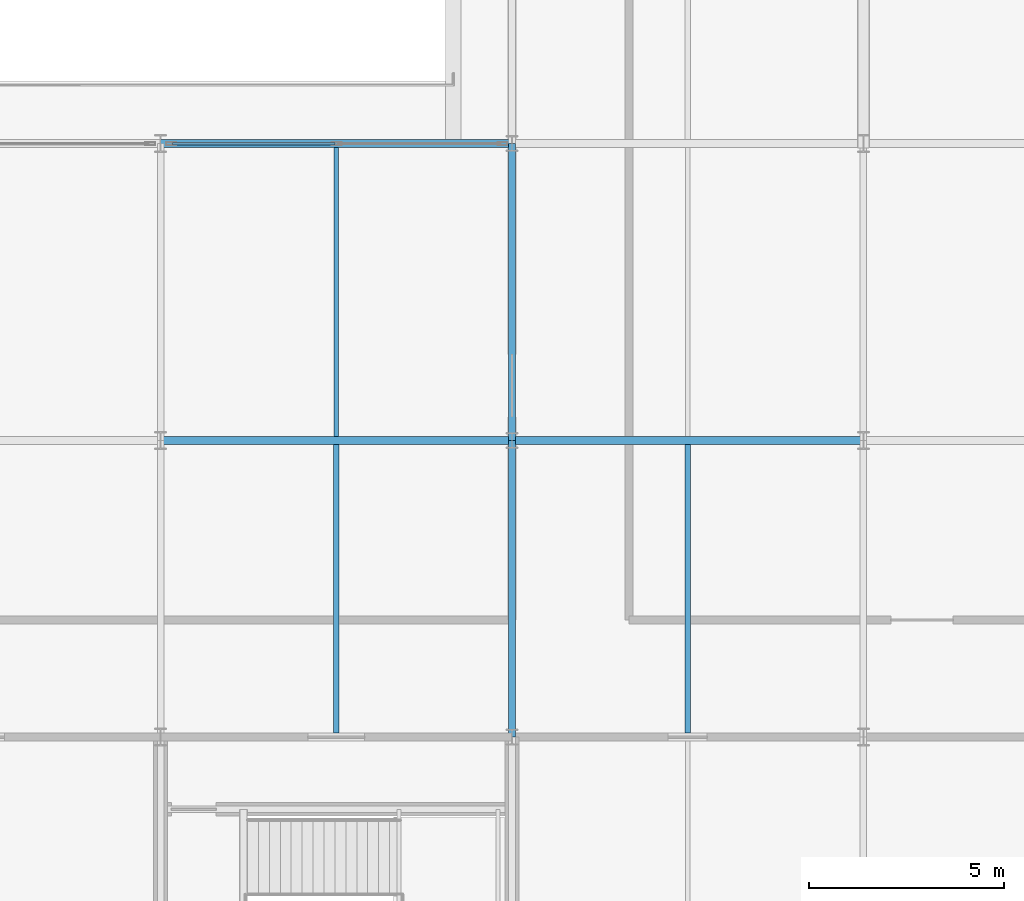
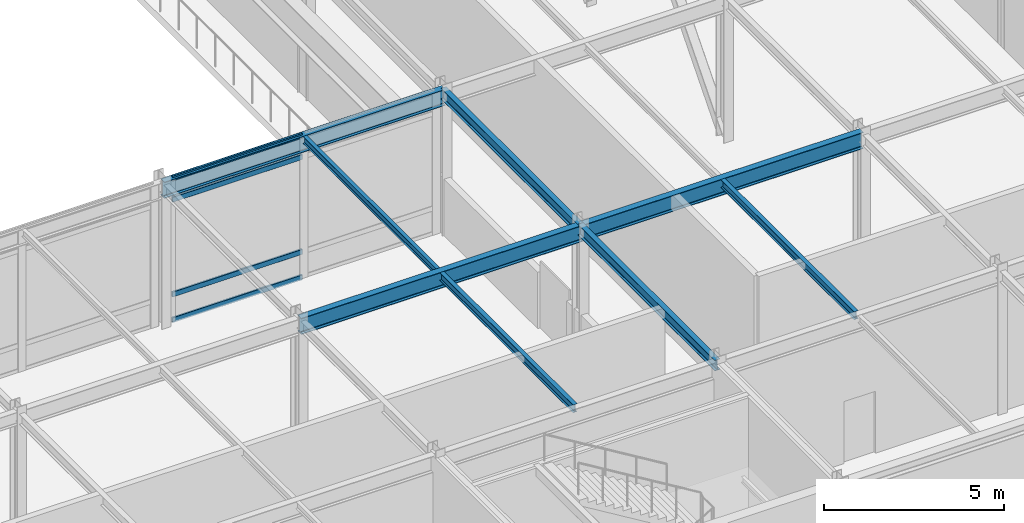
# One storey, part 55 of 113: 8 beams, 4 members, 1 element without a shape of its own.
"""IFC4 building model written with IfcOpenShell, lengths in metres."""

from ifc_helpers import new_model, si_unit, direction, frame, origin, origin_2d, place, context, subcontext, project, spatial, hollow_rectangle, i_section, extrude, material, layer, layer_set, material_profile, profile_set, type_object, element, aggregate, save


model = new_model("IFC4")

# Units and contexts
model_context = context("Model", 3, precision=1e-05, world=origin(), true_north=direction((0.0, 1.0)))
body_context = subcontext(model_context, "Body", "Model", "MODEL_VIEW")
ifc_project = project(units=[si_unit("LENGTHUNIT", "METRE"), si_unit("AREAUNIT", "SQUARE_METRE"), si_unit("VOLUMEUNIT", "CUBIC_METRE"), si_unit("PLANEANGLEUNIT", "RADIAN"), si_unit("MASSUNIT", "GRAM", prefix="KILO")], contexts=[model_context])

# Site, building, storey
site_placement = place(None, origin())
site = spatial("IfcSite", under=ifc_project, at=site_placement, CompositionType="ELEMENT")
building_placement = place(site_placement, origin())
building = spatial("IfcBuilding", under=site, at=building_placement, Name="Shalkamar Park Central Library", CompositionType="ELEMENT")
storey_placement = place(building_placement, frame((0.0, 0.0, 5.39990234375)))
storey = spatial("IfcBuildingStorey", under=building, at=storey_placement, Name="L02", CompositionType="ELEMENT", Elevation=5.39990234375)

# Beams
ifc_material_1 = material(Name="Steel S355", Category="steel")
ifc_material_profile_1 = material_profile(ifc_material_1, i_section(OverallWidth=0.1201171875, OverallDepth=0.239990234375, WebThickness=0.006103515625, FlangeThickness=0.009765625, FilletRadius=0.014892578125, at=origin_2d()), Name="IPE 240")
ifc_profile_set_1 = profile_set([ifc_material_profile_1], Name="Steel S355")
beam_type_1 = type_object("IfcBeamType", Name="Composite Floor Joist IPE240", PredefinedType="JOIST", material=ifc_profile_set_1)
beam_1_placement = place(storey_placement, frame((250.5, 262.903076171875, 4.739990234375), z_axis=(0.0, 1.0, 0.0), x_axis=(-1.0, 0.0, 0.0)))
element("IfcBeam", 1, at=beam_1_placement, inside=storey, type_object=beam_type_1, Name="Composite Joist 17/D-1 (L02)", PredefinedType="JOIST", context=body_context, shape_type="SweptSolid", body=[
    extrude(i_section(OverallWidth=0.1201171875, OverallDepth=0.239990234375, WebThickness=0.006103515625, FlangeThickness=0.009765625, FilletRadius=0.014892578125, at=origin_2d()), origin(), (0.0, 0.0, 1.0), 7.39404296875),
])
ifc_material_profile_2 = material_profile(ifc_material_1, i_section(OverallWidth=0.135009765625, OverallDepth=0.27001953125, WebThickness=0.006591796875, FlangeThickness=0.01025390625, FilletRadius=0.014892578125, at=origin_2d()), Name="IPE 270")
ifc_profile_set_2 = profile_set([ifc_material_profile_2], Name="Steel S355")
beam_type_2 = type_object("IfcBeamType", Name="Composite Floor Joist IPE270", PredefinedType="JOIST", material=ifc_profile_set_2)
for number, where, z_axis, x_axis, name in (
    (2, (250.5, 255.302978515625, 4.72509765625), (0.0, 1.0, 0.0), (-1.0, 0.0, 0.0), "Composite Joist 17/C-1 (L02)"),
    (3, (259.5, 255.302978515625, 4.72509765625), (0.0, 1.0, 0.0), (-1.0, 0.0, 0.0), "Composite Joist 18/C-1 (L02)"),
):
    element("IfcBeam", number, at=place(storey_placement, frame(where, z_axis=z_axis, x_axis=x_axis)), inside=storey, type_object=beam_type_2, Name=name, PredefinedType="JOIST", context=body_context, shape_type="SweptSolid", body=[
        extrude(i_section(OverallWidth=0.135009765625, OverallDepth=0.27001953125, WebThickness=0.006591796875, FlangeThickness=0.01025390625, FilletRadius=0.014892578125, at=origin_2d()), origin(), (0.0, 0.0, 1.0), 7.39404296875),
    ])

# Curtain wall, members
ifc_material_2 = material(Name="Thermally broken aluminium and triple low-e curtain wall", Category="aluminium")
ifc_layer = layer(ifc_material_2, 0.2548828125)
ifc_layer_set = layer_set([ifc_layer], Name="AtriumGlazedScreen_117")
curtain_wall_type = type_object("IfcCurtainWallType", Name="Atrium Glazed Screen 117", PredefinedType="USERDEFINED", material=ifc_layer_set)
curtain_wall_placement = place(storey_placement, origin())
curtain_wall = element("IfcCurtainWall", 4, at=curtain_wall_placement, inside=storey, type_object=curtain_wall_type, Name="Atrium Glazed Screen CW-L02-174", ObjectType="ATRIUM GLAZED SCREEN", PredefinedType="USERDEFINED")
ifc_material_3 = material(Name="Aluminium 6060-T66", Category="aluminium")
ifc_material_profile_3 = material_profile(ifc_material_3, hollow_rectangle(XDim=0.06494140625, YDim=0.169921875, WallThickness=0.00390625, InnerFilletRadius=0.00390625, OuterFilletRadius=0.006103515625, at=origin_2d()), Name="ALU 65x170x4")
ifc_profile_set_3 = profile_set([ifc_material_profile_3], Name="Aluminium 6060-T66")
member_type = type_object("IfcMemberType", Name="Curtain Wall Transom ALU65x170", PredefinedType="USERDEFINED", material=ifc_profile_set_3)
member_1_placement = place(storey_placement, frame((246.30908203125, 270.39990234375, 0.03271484375), z_axis=(1.0, 0.0, 0.0), x_axis=(0.0, 1.0, 0.0)))
member_1 = element("IfcMember", 5, at=member_1_placement, type_object=member_type, Name="CW-117 transom 1.1", ObjectType="TRANSOM", PredefinedType="USERDEFINED", context=body_context, shape_type="SweptSolid", body=[
    extrude(hollow_rectangle(XDim=0.06494140625, YDim=0.169921875, WallThickness=0.00390625, InnerFilletRadius=0.00390625, OuterFilletRadius=0.006103515625, at=origin_2d()), origin(), (0.0, 0.0, 1.0), 4.163330078125),
])
member_2_placement = place(storey_placement, frame((246.30908203125, 270.39990234375, 0.900146484375), z_axis=(1.0, 0.0, 0.0), x_axis=(0.0, 1.0, 0.0)))
member_2 = element("IfcMember", 6, at=member_2_placement, type_object=member_type, Name="CW-117 transom 1.2", ObjectType="TRANSOM", PredefinedType="USERDEFINED", context=body_context, shape_type="SweptSolid", body=[
    extrude(hollow_rectangle(XDim=0.06494140625, YDim=0.169921875, WallThickness=0.00390625, InnerFilletRadius=0.00390625, OuterFilletRadius=0.006103515625, at=origin_2d()), origin(), (0.0, 0.0, 1.0), 4.163330078125),
])
member_3_placement = place(storey_placement, frame((246.30908203125, 270.39990234375, 4.110107421875), z_axis=(1.0, 0.0, 0.0), x_axis=(0.0, 1.0, 0.0)))
member_3 = element("IfcMember", 7, at=member_3_placement, type_object=member_type, Name="CW-117 transom 1.3", ObjectType="TRANSOM", PredefinedType="USERDEFINED", context=body_context, shape_type="SweptSolid", body=[
    extrude(hollow_rectangle(XDim=0.06494140625, YDim=0.169921875, WallThickness=0.00390625, InnerFilletRadius=0.00390625, OuterFilletRadius=0.006103515625, at=origin_2d()), origin(), (0.0, 0.0, 1.0), 4.163330078125),
])
member_4_placement = place(storey_placement, frame((246.30908203125, 270.39990234375, 4.82763671875), z_axis=(1.0, 0.0, 0.0), x_axis=(0.0, 1.0, 0.0)))
member_4 = element("IfcMember", 8, at=member_4_placement, type_object=member_type, Name="CW-117 transom 1.4", ObjectType="TRANSOM", PredefinedType="USERDEFINED", context=body_context, shape_type="SweptSolid", body=[
    extrude(hollow_rectangle(XDim=0.06494140625, YDim=0.169921875, WallThickness=0.00390625, InnerFilletRadius=0.00390625, OuterFilletRadius=0.006103515625, at=origin_2d()), origin(), (0.0, 0.0, 1.0), 4.163330078125),
])
aggregate(curtain_wall, [member_1, member_2, member_3, member_4])

# Beams
ifc_material_profile_4 = material_profile(ifc_material_1, i_section(OverallWidth=0.169921875, OverallDepth=0.360107421875, WebThickness=0.008056640625, FlangeThickness=0.0126953125, FilletRadius=0.01806640625, at=origin_2d()), Name="IPE 360")
ifc_profile_set_4 = profile_set([ifc_material_profile_4], Name="Steel S355")
beam_type_3 = type_object("IfcBeamType", Name="Primary Girder IPE360", PredefinedType="BEAM", material=ifc_profile_set_4)
beam_2_placement = place(storey_placement, frame((255.0, 255.199951171875, 4.68017578125), z_axis=(0.0, 1.0, 0.0), x_axis=(-1.0, 0.0, 0.0)))
element("IfcBeam", 9, at=beam_2_placement, inside=storey, type_object=beam_type_3, Name="Beam 18:C-D (L02)", PredefinedType="BEAM", context=body_context, shape_type="SweptSolid", body=[
    extrude(i_section(OverallWidth=0.169921875, OverallDepth=0.360107421875, WebThickness=0.008056640625, FlangeThickness=0.0126953125, FilletRadius=0.01806640625, at=origin_2d()), origin(), (0.0, 0.0, 1.0), 7.60009765625),
])
beam_3_placement = place(storey_placement, frame((255.0, 262.800048828125, 4.68017578125), z_axis=(0.0, 1.0, 0.0), x_axis=(-1.0, 0.0, 0.0)))
element("IfcBeam", 10, at=beam_3_placement, inside=storey, type_object=beam_type_3, Name="Beam 18:D-E (L02)", PredefinedType="BEAM", context=body_context, shape_type="SweptSolid", body=[
    extrude(i_section(OverallWidth=0.169921875, OverallDepth=0.360107421875, WebThickness=0.008056640625, FlangeThickness=0.0126953125, FilletRadius=0.01806640625, at=origin_2d()), origin(), (0.0, 0.0, 1.0), 7.599853515625),
])
ifc_material_profile_5 = material_profile(ifc_material_1, i_section(OverallWidth=0.2099609375, OverallDepth=0.550048828125, WebThickness=0.010986328125, FlangeThickness=0.01708984375, FilletRadius=0.02392578125, at=origin_2d()), Name="IPE 550")
ifc_profile_set_5 = profile_set([ifc_material_profile_5], Name="Steel S355")
beam_type_4 = type_object("IfcBeamType", Name="Primary Girder IPE550", PredefinedType="BEAM", material=ifc_profile_set_5)
for number, where, z_axis, x_axis, name in (
    (11, (246.0, 262.800048828125, 4.585205078125), (1.0, 0.0, 0.0), (0.0, 1.0, 0.0), "Beam D:17-18 (L02)"),
    (12, (255.0, 262.800048828125, 4.585205078125), (1.0, 0.0, 0.0), (0.0, 1.0, 0.0), "Beam D:18-19 (L02)"),
    (13, (246.0, 270.39990234375, 4.585205078125), (1.0, 0.0, 0.0), (0.0, 1.0, 0.0), "Beam E:17-18 (L02)"),
):
    element("IfcBeam", number, at=place(storey_placement, frame(where, z_axis=z_axis, x_axis=x_axis)), inside=storey, type_object=beam_type_4, Name=name, PredefinedType="BEAM", context=body_context, shape_type="SweptSolid", body=[
        extrude(i_section(OverallWidth=0.2099609375, OverallDepth=0.550048828125, WebThickness=0.010986328125, FlangeThickness=0.01708984375, FilletRadius=0.02392578125, at=origin_2d()), origin(), (0.0, 0.0, 1.0), 9.0),
    ])

save(model, "model.ifc")
